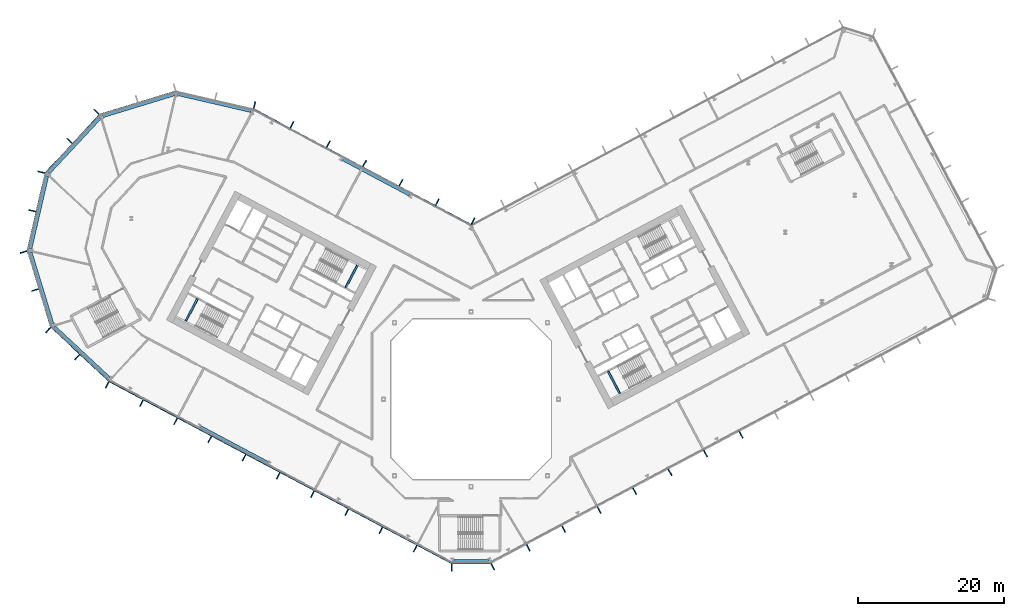
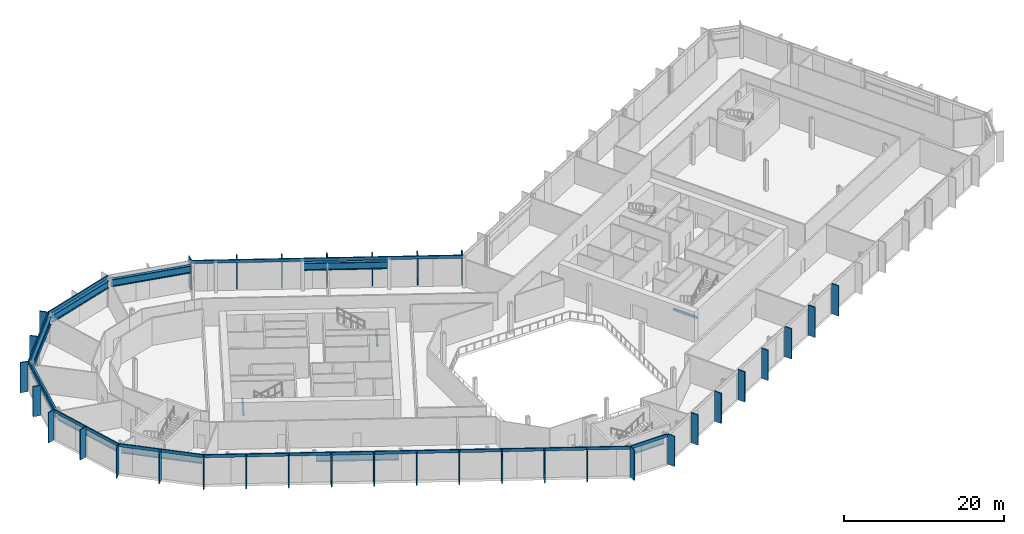
# One storey, part 7 of 31: 42 members, 12 beams, 10 elements without a shape of their own.
"""IFC4 building model written with IfcOpenShell, lengths in metres."""

from ifc_helpers import new_model, si_unit, direction, frame, origin, origin_2d, place, context, subcontext, project, spatial, rectangle, i_section, extrude, material, layer, layer_set, material_profile, profile_set, type_object, element, aggregate, save


model = new_model("IFC4")

# Units and contexts
model_context = context("Model", 3, precision=1e-05, world=origin(), true_north=direction((0.0, 1.0)))
body_context = subcontext(model_context, "Body", "Model", "MODEL_VIEW")
ifc_project = project(units=[si_unit("LENGTHUNIT", "METRE"), si_unit("AREAUNIT", "SQUARE_METRE"), si_unit("VOLUMEUNIT", "CUBIC_METRE"), si_unit("PLANEANGLEUNIT", "RADIAN"), si_unit("MASSUNIT", "GRAM", prefix="KILO")], contexts=[model_context])

# Site, building, storey
site_placement = place(None, origin())
site = spatial("IfcSite", under=ifc_project, at=site_placement, CompositionType="ELEMENT")
building_placement = place(site_placement, origin())
building = spatial("IfcBuilding", under=site, at=building_placement, Name="Cormorant Relay Tower", CompositionType="ELEMENT")
storey_placement = place(building_placement, frame((0.0, 0.0, 107.60009765625)))
storey = spatial("IfcBuildingStorey", under=building, at=storey_placement, Name="L21", CompositionType="ELEMENT", Elevation=107.60009765625)

# Curtain wall, member
ifc_material_1 = material(Name="Aluminium 6063-T6 anodised bronze", Category="aluminium")
ifc_layer = layer(ifc_material_1, 0.199951171875)
ifc_layer_set = layer_set([ifc_layer], Name="CW1 unitised bronze curtain wall with vertical fins")
curtain_wall_type = type_object("IfcCurtainWallType", Name="CW1 unitised bronze curtain wall with vertical fins", PredefinedType="NOTDEFINED", material=ifc_layer_set)
curtain_wall_1_placement = place(storey_placement, origin())
curtain_wall_1 = element("IfcCurtainWall", 1, at=curtain_wall_1_placement, inside=storey, type_object=curtain_wall_type, Name="CW1 curtain wall 1", PredefinedType="NOTDEFINED")
ifc_material_2 = material(Name="Aluminium 6063-T6 anodised bronze", Category="aluminium")
ifc_material_profile_1 = material_profile(ifc_material_2, rectangle(XDim=0.14990234375, YDim=1.0, at=origin_2d()), Name="AL 150x1000")
ifc_profile_set_1 = profile_set([ifc_material_profile_1], Name="Aluminium 6063-T6 anodised bronze")
member_type_1 = type_object("IfcMemberType", Name="CW1 bronze fin mullion 150 x 1000", PredefinedType="MULLION", material=ifc_profile_set_1)
member_1_placement = place(storey_placement, frame((-2.648681640625, -23.07568359375, 0.0), z_axis=(0.0, 0.0, 1.0), x_axis=(1.0, 0.0, 0.0)))
member_1 = element("IfcMember", 2, at=member_1_placement, type_object=member_type_1, Name="CW1 fin 1.1", PredefinedType="MULLION", context=body_context, shape_type="SweptSolid", body=[
    extrude(rectangle(XDim=0.14990234375, YDim=1.0, at=origin_2d()), origin(), (0.0, 0.0, 1.0), 4.599853515625),
])

# Curtain wall, members
curtain_wall_2_placement = place(storey_placement, origin())
curtain_wall_2 = element("IfcCurtainWall", 3, at=curtain_wall_2_placement, inside=storey, type_object=curtain_wall_type, Name="CW1 curtain wall 2", PredefinedType="NOTDEFINED")
member_2_placement = place(storey_placement, frame((2.9775390625, -22.99365234375, 0.0), z_axis=(0.0, 0.0, 1.0), x_axis=(0.882947592859, 0.469471562786, 0.0)))
member_2 = element("IfcMember", 4, at=member_2_placement, type_object=member_type_1, Name="CW1 fin 2.1", PredefinedType="MULLION", context=body_context, shape_type="SweptSolid", body=[
    extrude(rectangle(XDim=0.14990234375, YDim=1.0, at=origin_2d()), origin(), (0.0, 0.0, 1.0), 4.599853515625),
])
member_3_placement = place(storey_placement, frame((7.843994140625, -20.406005859375, 0.0), z_axis=(0.0, 0.0, 1.0), x_axis=(0.882947592859, 0.469471562786, 0.0)))
member_3 = element("IfcMember", 5, at=member_3_placement, type_object=member_type_1, Name="CW1 fin 2.2", PredefinedType="MULLION", context=body_context, shape_type="SweptSolid", body=[
    extrude(rectangle(XDim=0.14990234375, YDim=1.0, at=origin_2d()), origin(), (0.0, 0.0, 1.0), 4.599853515625),
])
member_4_placement = place(storey_placement, frame((12.710693359375, -17.818359375, 0.0), z_axis=(0.0, 0.0, 1.0), x_axis=(0.882947592859, 0.469471562786, 0.0)))
member_4 = element("IfcMember", 6, at=member_4_placement, type_object=member_type_1, Name="CW1 fin 2.3", PredefinedType="MULLION", context=body_context, shape_type="SweptSolid", body=[
    extrude(rectangle(XDim=0.14990234375, YDim=1.0, at=origin_2d()), origin(), (0.0, 0.0, 1.0), 4.599853515625),
])
member_5_placement = place(storey_placement, frame((17.577392578125, -15.230712890625, 0.0), z_axis=(0.0, 0.0, 1.0), x_axis=(0.882947592859, 0.469471562786, 0.0)))
member_5 = element("IfcMember", 7, at=member_5_placement, type_object=member_type_1, Name="CW1 fin 2.4", PredefinedType="MULLION", context=body_context, shape_type="SweptSolid", body=[
    extrude(rectangle(XDim=0.14990234375, YDim=1.0, at=origin_2d()), origin(), (0.0, 0.0, 1.0), 4.599853515625),
])
member_6_placement = place(storey_placement, frame((22.444091796875, -12.64306640625, 0.0), z_axis=(0.0, 0.0, 1.0), x_axis=(0.882947592859, 0.469471562786, 0.0)))
member_6 = element("IfcMember", 8, at=member_6_placement, type_object=member_type_1, Name="CW1 fin 2.5", PredefinedType="MULLION", context=body_context, shape_type="SweptSolid", body=[
    extrude(rectangle(XDim=0.14990234375, YDim=1.0, at=origin_2d()), origin(), (0.0, 0.0, 1.0), 4.599853515625),
])
member_7_placement = place(storey_placement, frame((27.310791015625, -10.055419921875, 0.0), z_axis=(0.0, 0.0, 1.0), x_axis=(0.882947592859, 0.469471562786, 0.0)))
member_7 = element("IfcMember", 9, at=member_7_placement, type_object=member_type_1, Name="CW1 fin 2.6", PredefinedType="MULLION", context=body_context, shape_type="SweptSolid", body=[
    extrude(rectangle(XDim=0.14990234375, YDim=1.0, at=origin_2d()), origin(), (0.0, 0.0, 1.0), 4.599853515625),
])
member_8_placement = place(storey_placement, frame((32.177490234375, -7.4677734375, 0.0), z_axis=(0.0, 0.0, 1.0), x_axis=(0.882947592859, 0.469471562786, 0.0)))
member_8 = element("IfcMember", 10, at=member_8_placement, type_object=member_type_1, Name="CW1 fin 2.7", PredefinedType="MULLION", context=body_context, shape_type="SweptSolid", body=[
    extrude(rectangle(XDim=0.14990234375, YDim=1.0, at=origin_2d()), origin(), (0.0, 0.0, 1.0), 4.599853515625),
])
member_9_placement = place(storey_placement, frame((37.044189453125, -4.8798828125, 0.0), z_axis=(0.0, 0.0, 1.0), x_axis=(0.882947592859, 0.469471562786, 0.0)))
member_9 = element("IfcMember", 11, at=member_9_placement, type_object=member_type_1, Name="CW1 fin 2.8", PredefinedType="MULLION", context=body_context, shape_type="SweptSolid", body=[
    extrude(rectangle(XDim=0.14990234375, YDim=1.0, at=origin_2d()), origin(), (0.0, 0.0, 1.0), 4.599853515625),
])
aggregate(curtain_wall_2, [member_2, member_3, member_4, member_5, member_6, member_7, member_8, member_9])

curtain_wall_3_placement = place(storey_placement, origin())
curtain_wall_3 = element("IfcCurtainWall", 12, at=curtain_wall_3_placement, inside=storey, type_object=curtain_wall_type, Name="CW1 curtain wall 7", PredefinedType="NOTDEFINED")
member_10_placement = place(storey_placement, frame((0.262451171875, 24.437255859375, 0.0), z_axis=(0.0, 0.0, 1.0), x_axis=(-0.882947592859, 0.469471562786, 0.0)))
member_10 = element("IfcMember", 13, at=member_10_placement, type_object=member_type_1, Name="CW1 fin 7.1", PredefinedType="MULLION", context=body_context, shape_type="SweptSolid", body=[
    extrude(rectangle(XDim=0.14990234375, YDim=1.0, at=origin_2d()), origin(), (0.0, 0.0, 1.0), 4.599853515625),
])
member_11_placement = place(storey_placement, frame((-4.650390625, 27.04931640625, 0.0), z_axis=(0.0, 0.0, 1.0), x_axis=(-0.882947592859, 0.469471562786, 0.0)))
member_11 = element("IfcMember", 14, at=member_11_placement, type_object=member_type_1, Name="CW1 fin 7.2", PredefinedType="MULLION", context=body_context, shape_type="SweptSolid", body=[
    extrude(rectangle(XDim=0.14990234375, YDim=1.0, at=origin_2d()), origin(), (0.0, 0.0, 1.0), 4.599853515625),
])
member_12_placement = place(storey_placement, frame((-9.62939453125, 29.69677734375, 0.0), z_axis=(0.0, 0.0, 1.0), x_axis=(-0.882947592859, 0.469471562786, 0.0)))
member_12 = element("IfcMember", 15, at=member_12_placement, type_object=member_type_1, Name="CW1 fin 7.3", PredefinedType="MULLION", context=body_context, shape_type="SweptSolid", body=[
    extrude(rectangle(XDim=0.14990234375, YDim=1.0, at=origin_2d()), origin(), (0.0, 0.0, 1.0), 4.599853515625),
])
member_13_placement = place(storey_placement, frame((-14.608154296875, 32.343994140625, 0.0), z_axis=(0.0, 0.0, 1.0), x_axis=(-0.882947592859, 0.469471562786, 0.0)))
member_13 = element("IfcMember", 16, at=member_13_placement, type_object=member_type_1, Name="CW1 fin 7.4", PredefinedType="MULLION", context=body_context, shape_type="SweptSolid", body=[
    extrude(rectangle(XDim=0.14990234375, YDim=1.0, at=origin_2d()), origin(), (0.0, 0.0, 1.0), 4.599853515625),
])
member_14_placement = place(storey_placement, frame((-19.587158203125, 34.991455078125, 0.0), z_axis=(0.0, 0.0, 1.0), x_axis=(-0.882947592859, 0.469471562786, 0.0)))
member_14 = element("IfcMember", 17, at=member_14_placement, type_object=member_type_1, Name="CW1 fin 7.5", PredefinedType="MULLION", context=body_context, shape_type="SweptSolid", body=[
    extrude(rectangle(XDim=0.14990234375, YDim=1.0, at=origin_2d()), origin(), (0.0, 0.0, 1.0), 4.599853515625),
])
member_15_placement = place(storey_placement, frame((-24.566162109375, 37.638916015625, 0.0), z_axis=(0.0, 0.0, 1.0), x_axis=(-0.882947592859, 0.469471562786, 0.0)))
member_15 = element("IfcMember", 18, at=member_15_placement, type_object=member_type_1, Name="CW1 fin 7.6", PredefinedType="MULLION", context=body_context, shape_type="SweptSolid", body=[
    extrude(rectangle(XDim=0.14990234375, YDim=1.0, at=origin_2d()), origin(), (0.0, 0.0, 1.0), 4.599853515625),
])

# Curtain wall, member
curtain_wall_4_placement = place(storey_placement, origin())
curtain_wall_4 = element("IfcCurtainWall", 19, at=curtain_wall_4_placement, inside=storey, type_object=curtain_wall_type, Name="CW1 curtain wall 8", PredefinedType="NOTDEFINED")
member_16_placement = place(storey_placement, frame((-29.71630859375, 40.35009765625, 0.0), z_axis=(0.0, 0.0, 1.0), x_axis=(-0.974370064785, 0.224951054344, 0.0)))
member_16 = element("IfcMember", 20, at=member_16_placement, type_object=member_type_1, Name="CW1 fin 8.1", PredefinedType="MULLION", context=body_context, shape_type="SweptSolid", body=[
    extrude(rectangle(XDim=0.14990234375, YDim=1.0, at=origin_2d()), origin(), (0.0, 0.0, 1.0), 4.599853515625),
])
aggregate(curtain_wall_4, [member_16])

# Curtain wall, members
curtain_wall_5_placement = place(storey_placement, origin())
curtain_wall_5 = element("IfcCurtainWall", 21, at=curtain_wall_5_placement, inside=storey, type_object=curtain_wall_type, Name="CW1 curtain wall 10", PredefinedType="NOTDEFINED")
member_17_placement = place(storey_placement, frame((-51.372802734375, 39.41259765625, 0.0), z_axis=(0.0, 0.0, 1.0), x_axis=(-0.681998360062, -0.731353701619, 0.0)))
member_17 = element("IfcMember", 22, at=member_17_placement, type_object=member_type_1, Name="CW1 fin 10.1", PredefinedType="MULLION", context=body_context, shape_type="SweptSolid", body=[
    extrude(rectangle(XDim=0.14990234375, YDim=1.0, at=origin_2d()), origin(), (0.0, 0.0, 1.0), 4.599853515625),
])
member_18_placement = place(storey_placement, frame((-55.07958984375, 35.4375, 0.0), z_axis=(0.0, 0.0, 1.0), x_axis=(-0.681998360062, -0.731353701619, 0.0)))
member_18 = element("IfcMember", 23, at=member_18_placement, type_object=member_type_1, Name="CW1 fin 10.2", PredefinedType="MULLION", context=body_context, shape_type="SweptSolid", body=[
    extrude(rectangle(XDim=0.14990234375, YDim=1.0, at=origin_2d()), origin(), (0.0, 0.0, 1.0), 4.599853515625),
])

curtain_wall_6_placement = place(storey_placement, origin())
curtain_wall_6 = element("IfcCurtainWall", 24, at=curtain_wall_6_placement, inside=storey, type_object=curtain_wall_type, Name="CW1 curtain wall 11", PredefinedType="NOTDEFINED")
member_19_placement = place(storey_placement, frame((-58.95654296875, 31.142578125, 0.0), z_axis=(0.0, 0.0, 1.0), x_axis=(-0.224951054344, -0.974370064785, 0.0)))
member_19 = element("IfcMember", 25, at=member_19_placement, type_object=member_type_1, Name="CW1 fin 11.1", PredefinedType="MULLION", context=body_context, shape_type="SweptSolid", body=[
    extrude(rectangle(XDim=0.14990234375, YDim=1.0, at=origin_2d()), origin(), (0.0, 0.0, 1.0), 4.599853515625),
])
member_20_placement = place(storey_placement, frame((-60.17919921875, 25.8466796875, 0.0), z_axis=(0.0, 0.0, 1.0), x_axis=(-0.224951054344, -0.974370064785, 0.0)))
member_20 = element("IfcMember", 26, at=member_20_placement, type_object=member_type_1, Name="CW1 fin 11.2", PredefinedType="MULLION", context=body_context, shape_type="SweptSolid", body=[
    extrude(rectangle(XDim=0.14990234375, YDim=1.0, at=origin_2d()), origin(), (0.0, 0.0, 1.0), 4.599853515625),
])

curtain_wall_7_placement = place(storey_placement, origin())
curtain_wall_7 = element("IfcCurtainWall", 27, at=curtain_wall_7_placement, inside=storey, type_object=curtain_wall_type, Name="CW1 curtain wall 12", PredefinedType="NOTDEFINED")
member_21_placement = place(storey_placement, frame((-61.389404296875, 20.188720703125, 0.0), z_axis=(0.0, 0.0, 1.0), x_axis=(0.292371704723, -0.956304755963, 0.0)))
member_21 = element("IfcMember", 28, at=member_21_placement, type_object=member_type_1, Name="CW1 fin 12.1", PredefinedType="MULLION", context=body_context, shape_type="SweptSolid", body=[
    extrude(rectangle(XDim=0.14990234375, YDim=1.0, at=origin_2d()), origin(), (0.0, 0.0, 1.0), 4.599853515625),
])
member_22_placement = place(storey_placement, frame((-59.80029296875, 14.990966796875, 0.0), z_axis=(0.0, 0.0, 1.0), x_axis=(0.292371704723, -0.956304755963, 0.0)))
member_22 = element("IfcMember", 29, at=member_22_placement, type_object=member_type_1, Name="CW1 fin 12.2", PredefinedType="MULLION", context=body_context, shape_type="SweptSolid", body=[
    extrude(rectangle(XDim=0.14990234375, YDim=1.0, at=origin_2d()), origin(), (0.0, 0.0, 1.0), 4.599853515625),
])

curtain_wall_8_placement = place(storey_placement, origin())
curtain_wall_8 = element("IfcCurtainWall", 30, at=curtain_wall_8_placement, inside=storey, type_object=curtain_wall_type, Name="CW1 curtain wall 13", PredefinedType="NOTDEFINED")
member_23_placement = place(storey_placement, frame((-58.01904296875, 9.486083984375, 0.0), z_axis=(0.0, 0.0, 1.0), x_axis=(0.731353701619, -0.681998360062, 0.0)))
member_23 = element("IfcMember", 31, at=member_23_placement, type_object=member_type_1, Name="CW1 fin 13.1", PredefinedType="MULLION", context=body_context, shape_type="SweptSolid", body=[
    extrude(rectangle(XDim=0.14990234375, YDim=1.0, at=origin_2d()), origin(), (0.0, 0.0, 1.0), 4.599853515625),
])
member_24_placement = place(storey_placement, frame((-54.0439453125, 5.779296875, 0.0), z_axis=(0.0, 0.0, 1.0), x_axis=(0.731353701619, -0.681998360062, 0.0)))
member_24 = element("IfcMember", 32, at=member_24_placement, type_object=member_type_1, Name="CW1 fin 13.2", PredefinedType="MULLION", context=body_context, shape_type="SweptSolid", body=[
    extrude(rectangle(XDim=0.14990234375, YDim=1.0, at=origin_2d()), origin(), (0.0, 0.0, 1.0), 4.599853515625),
])

curtain_wall_9_placement = place(storey_placement, origin())
curtain_wall_9 = element("IfcCurtainWall", 33, at=curtain_wall_9_placement, inside=storey, type_object=curtain_wall_type, Name="CW1 curtain wall 14", PredefinedType="NOTDEFINED")
member_25_placement = place(storey_placement, frame((-49.920166015625, 1.96630859375, 0.0), z_axis=(0.0, 0.0, 1.0), x_axis=(0.882947592859, -0.469471562786, 0.0)))
member_25 = element("IfcMember", 34, at=member_25_placement, type_object=member_type_1, Name="CW1 fin 14.1", PredefinedType="MULLION", context=body_context, shape_type="SweptSolid", body=[
    extrude(rectangle(XDim=0.14990234375, YDim=1.0, at=origin_2d()), origin(), (0.0, 0.0, 1.0), 4.599853515625),
])
member_26_placement = place(storey_placement, frame((-45.225830078125, -0.52978515625, 0.0), z_axis=(0.0, 0.0, 1.0), x_axis=(0.882947592859, -0.469471562786, 0.0)))
member_26 = element("IfcMember", 35, at=member_26_placement, type_object=member_type_1, Name="CW1 fin 14.2", PredefinedType="MULLION", context=body_context, shape_type="SweptSolid", body=[
    extrude(rectangle(XDim=0.14990234375, YDim=1.0, at=origin_2d()), origin(), (0.0, 0.0, 1.0), 4.599853515625),
])
member_27_placement = place(storey_placement, frame((-40.531494140625, -3.025634765625, 0.0), z_axis=(0.0, 0.0, 1.0), x_axis=(0.882947592859, -0.469471562786, 0.0)))
member_27 = element("IfcMember", 36, at=member_27_placement, type_object=member_type_1, Name="CW1 fin 14.3", PredefinedType="MULLION", context=body_context, shape_type="SweptSolid", body=[
    extrude(rectangle(XDim=0.14990234375, YDim=1.0, at=origin_2d()), origin(), (0.0, 0.0, 1.0), 4.599853515625),
])
member_28_placement = place(storey_placement, frame((-35.83740234375, -5.521728515625, 0.0), z_axis=(0.0, 0.0, 1.0), x_axis=(0.882947592859, -0.469471562786, 0.0)))
member_28 = element("IfcMember", 37, at=member_28_placement, type_object=member_type_1, Name="CW1 fin 14.4", PredefinedType="MULLION", context=body_context, shape_type="SweptSolid", body=[
    extrude(rectangle(XDim=0.14990234375, YDim=1.0, at=origin_2d()), origin(), (0.0, 0.0, 1.0), 4.599853515625),
])
member_29_placement = place(storey_placement, frame((-31.14306640625, -8.017578125, 0.0), z_axis=(0.0, 0.0, 1.0), x_axis=(0.882947592859, -0.469471562786, 0.0)))
member_29 = element("IfcMember", 38, at=member_29_placement, type_object=member_type_1, Name="CW1 fin 14.5", PredefinedType="MULLION", context=body_context, shape_type="SweptSolid", body=[
    extrude(rectangle(XDim=0.14990234375, YDim=1.0, at=origin_2d()), origin(), (0.0, 0.0, 1.0), 4.599853515625),
])
member_30_placement = place(storey_placement, frame((-26.44873046875, -10.513671875, 0.0), z_axis=(0.0, 0.0, 1.0), x_axis=(0.882947592859, -0.469471562786, 0.0)))
member_30 = element("IfcMember", 39, at=member_30_placement, type_object=member_type_1, Name="CW1 fin 14.6", PredefinedType="MULLION", context=body_context, shape_type="SweptSolid", body=[
    extrude(rectangle(XDim=0.14990234375, YDim=1.0, at=origin_2d()), origin(), (0.0, 0.0, 1.0), 4.599853515625),
])
member_31_placement = place(storey_placement, frame((-21.754638671875, -13.009765625, 0.0), z_axis=(0.0, 0.0, 1.0), x_axis=(0.882947592859, -0.469471562786, 0.0)))
member_31 = element("IfcMember", 40, at=member_31_placement, type_object=member_type_1, Name="CW1 fin 14.7", PredefinedType="MULLION", context=body_context, shape_type="SweptSolid", body=[
    extrude(rectangle(XDim=0.14990234375, YDim=1.0, at=origin_2d()), origin(), (0.0, 0.0, 1.0), 4.599853515625),
])
member_32_placement = place(storey_placement, frame((-17.060302734375, -15.505615234375, 0.0), z_axis=(0.0, 0.0, 1.0), x_axis=(0.882947592859, -0.469471562786, 0.0)))
member_32 = element("IfcMember", 41, at=member_32_placement, type_object=member_type_1, Name="CW1 fin 14.8", PredefinedType="MULLION", context=body_context, shape_type="SweptSolid", body=[
    extrude(rectangle(XDim=0.14990234375, YDim=1.0, at=origin_2d()), origin(), (0.0, 0.0, 1.0), 4.599853515625),
])
member_33_placement = place(storey_placement, frame((-12.365966796875, -18.001708984375, 0.0), z_axis=(0.0, 0.0, 1.0), x_axis=(0.882947592859, -0.469471562786, 0.0)))
member_33 = element("IfcMember", 42, at=member_33_placement, type_object=member_type_1, Name="CW1 fin 14.9", PredefinedType="MULLION", context=body_context, shape_type="SweptSolid", body=[
    extrude(rectangle(XDim=0.14990234375, YDim=1.0, at=origin_2d()), origin(), (0.0, 0.0, 1.0), 4.599853515625),
])
member_34_placement = place(storey_placement, frame((-7.671630859375, -20.49755859375, 0.0), z_axis=(0.0, 0.0, 1.0), x_axis=(0.882947592859, -0.469471562786, 0.0)))
member_34 = element("IfcMember", 43, at=member_34_placement, type_object=member_type_1, Name="CW1 fin 14.10", PredefinedType="MULLION", context=body_context, shape_type="SweptSolid", body=[
    extrude(rectangle(XDim=0.14990234375, YDim=1.0, at=origin_2d()), origin(), (0.0, 0.0, 1.0), 4.599853515625),
])

# Member
ifc_material_3 = material(Name="Aluminium 6063-T6 anodised bronze", Category="aluminium")
ifc_material_profile_2 = material_profile(ifc_material_3, rectangle(XDim=0.159912109375, YDim=0.449951171875, at=origin_2d()), Name="AL 160x450")
ifc_profile_set_2 = profile_set([ifc_material_profile_2], Name="Aluminium 6063-T6 anodised bronze")
member_type_2 = type_object("IfcMemberType", Name="CW1 bronze transom 160 x 450", PredefinedType="USERDEFINED", material=ifc_profile_set_2)
member_35_placement = place(storey_placement, frame((-2.648681640625, -22.49560546875, 4.375), z_axis=(1.0, 0.0, 0.0), x_axis=(0.0, 1.0, 0.0)))
member_35 = element("IfcMember", 44, at=member_35_placement, type_object=member_type_2, Name="CW1 transom 1", ObjectType="TRANSOM", PredefinedType="USERDEFINED", context=body_context, shape_type="SweptSolid", body=[
    extrude(rectangle(XDim=0.159912109375, YDim=0.449951171875, at=origin_2d()), origin(), (0.0, 0.0, 1.0), 5.29736328125),
])

aggregate(curtain_wall_1, [member_1, member_35])

member_36_placement = place(storey_placement, frame((0.056396484375, 23.889892578125, 4.375), z_axis=(-0.882946280328, 0.46947403129, 0.0), x_axis=(-0.46947403129, -0.882946280328, 0.0)))
member_36 = element("IfcMember", 45, at=member_36_placement, type_object=member_type_2, Name="CW1 transom 7", ObjectType="TRANSOM", PredefinedType="USERDEFINED", context=body_context, shape_type="SweptSolid", body=[
    extrude(rectangle(XDim=0.159912109375, YDim=0.449951171875, at=origin_2d()), origin(), (0.0, 0.0, 1.0), 33.834228515625),
])

aggregate(curtain_wall_3, [member_10, member_11, member_12, member_13, member_14, member_15, member_36])

# Curtain wall, member
curtain_wall_10_placement = place(storey_placement, origin())
curtain_wall_10 = element("IfcCurtainWall", 46, at=curtain_wall_10_placement, inside=storey, type_object=curtain_wall_type, Name="CW1 curtain wall 9", PredefinedType="NOTDEFINED")
member_37_placement = place(storey_placement, frame((-40.50048828125, 42.228271484375, 4.375), z_axis=(-0.956304833932, -0.292371449698, 0.0), x_axis=(0.292371449698, -0.956304833932, 0.0)))
member_37 = element("IfcMember", 47, at=member_37_placement, type_object=member_type_2, Name="CW1 transom 9", ObjectType="TRANSOM", PredefinedType="USERDEFINED", context=body_context, shape_type="SweptSolid", body=[
    extrude(rectangle(XDim=0.159912109375, YDim=0.449951171875, at=origin_2d()), origin(), (0.0, 0.0, 1.0), 10.87060546875),
])
aggregate(curtain_wall_10, [member_37])

# Member
member_38_placement = place(storey_placement, frame((-50.94873046875, 39.01708984375, 4.375), z_axis=(-0.681993299437, -0.731358420696, 0.0), x_axis=(0.731358420696, -0.681993299437, 0.0)))
member_38 = element("IfcMember", 48, at=member_38_placement, type_object=member_type_2, Name="CW1 transom 10", ObjectType="TRANSOM", PredefinedType="USERDEFINED", context=body_context, shape_type="SweptSolid", body=[
    extrude(rectangle(XDim=0.159912109375, YDim=0.449951171875, at=origin_2d()), origin(), (0.0, 0.0, 1.0), 10.870361328125),
])

aggregate(curtain_wall_5, [member_17, member_18, member_38])

member_39_placement = place(storey_placement, frame((-58.3916015625, 31.01220703125, 4.375), z_axis=(-0.22495136131, -0.974369993916, 0.0), x_axis=(0.974369993916, -0.22495136131, 0.0)))
member_39 = element("IfcMember", 49, at=member_39_placement, type_object=member_type_2, Name="CW1 transom 11", ObjectType="TRANSOM", PredefinedType="USERDEFINED", context=body_context, shape_type="SweptSolid", body=[
    extrude(rectangle(XDim=0.159912109375, YDim=0.449951171875, at=origin_2d()), origin(), (0.0, 0.0, 1.0), 10.870361328125),
])

aggregate(curtain_wall_6, [member_19, member_20, member_39])

member_40_placement = place(storey_placement, frame((-60.834716796875, 20.358154296875, 4.375), z_axis=(0.292377729282, -0.95630291405, 0.0), x_axis=(0.95630291405, 0.292377729282, 0.0)))
member_40 = element("IfcMember", 50, at=member_40_placement, type_object=member_type_2, Name="CW1 transom 12", ObjectType="TRANSOM", PredefinedType="USERDEFINED", context=body_context, shape_type="SweptSolid", body=[
    extrude(rectangle(XDim=0.159912109375, YDim=0.449951171875, at=origin_2d()), origin(), (0.0, 0.0, 1.0), 10.870361328125),
])

aggregate(curtain_wall_7, [member_21, member_22, member_40])

member_41_placement = place(storey_placement, frame((-57.62353515625, 9.91015625, 4.375), z_axis=(0.731358420696, -0.681993299437, 0.0), x_axis=(0.681993299437, 0.731358420696, 0.0)))
member_41 = element("IfcMember", 51, at=member_41_placement, type_object=member_type_2, Name="CW1 transom 13", ObjectType="TRANSOM", PredefinedType="USERDEFINED", context=body_context, shape_type="SweptSolid", body=[
    extrude(rectangle(XDim=0.159912109375, YDim=0.449951171875, at=origin_2d()), origin(), (0.0, 0.0, 1.0), 10.870361328125),
])

aggregate(curtain_wall_8, [member_23, member_24, member_41])

member_42_placement = place(storey_placement, frame((-49.64794921875, 2.478515625, 4.375), z_axis=(0.882947642542, -0.469471469346, 0.0), x_axis=(0.469471469346, 0.882947642542, 0.0)))
member_42 = element("IfcMember", 52, at=member_42_placement, type_object=member_type_2, Name="CW1 transom 14", ObjectType="TRANSOM", PredefinedType="USERDEFINED", context=body_context, shape_type="SweptSolid", body=[
    extrude(rectangle(XDim=0.159912109375, YDim=0.449951171875, at=origin_2d()), origin(), (0.0, 0.0, 1.0), 53.166015625),
])

aggregate(curtain_wall_9, [member_25, member_26, member_27, member_28, member_29, member_30, member_31, member_32, member_33, member_34, member_42])

# Beams
ifc_material_4 = material(Name="Steel ASTM A992 (Fy 345 MPa)", Category="steel")
ifc_material_profile_3 = material_profile(ifc_material_4, i_section(OverallWidth=0.40380859375, OverallDepth=1.11767578125, WebThickness=0.026123046875, FlangeThickness=0.044921875, FilletRadius=0.02001953125, at=origin_2d()), Name="W1100x499")
ifc_profile_set_3 = profile_set([ifc_material_profile_3], Name="Steel ASTM A992 (Fy 345 MPa)")
beam_type_1 = type_object("IfcBeamType", Name="Spandrel W1100x499", PredefinedType="SPANDREL", material=ifc_profile_set_3)
beam_1_placement = place(storey_placement, frame((-2.3486328125, -22.173583984375, 3.591064453125), z_axis=(1.0, 0.0, 0.0), x_axis=(0.0, 1.0, 0.0)))
element("IfcBeam", 53, at=beam_1_placement, inside=storey, type_object=beam_type_1, Name="Spandrel beam L21-001", PredefinedType="SPANDREL", context=body_context, shape_type="SweptSolid", body=[
    extrude(i_section(OverallWidth=0.40380859375, OverallDepth=1.11767578125, WebThickness=0.026123046875, FlangeThickness=0.044921875, FilletRadius=0.02001953125, at=origin_2d()), origin(), (0.0, 0.0, 1.0), 4.736083984375),
])
beam_2_placement = place(storey_placement, frame((-8.435302734375, 28.040283203125, 3.591064453125), z_axis=(-0.882946891921, 0.469472881056, 0.0), x_axis=(-0.469472881056, -0.882946891921, 0.0)))
element("IfcBeam", 54, at=beam_2_placement, inside=storey, type_object=beam_type_1, Name="Spandrel beam L21-007", PredefinedType="SPANDREL", context=body_context, shape_type="SweptSolid", body=[
    extrude(i_section(OverallWidth=0.40380859375, OverallDepth=1.11767578125, WebThickness=0.026123046875, FlangeThickness=0.044921875, FilletRadius=0.02001953125, at=origin_2d()), origin(), (0.0, 0.0, 1.0), 10.376220703125),
])
beam_3_placement = place(storey_placement, frame((-30.171142578125, 39.529541015625, 3.591064453125), z_axis=(-0.974368523335, 0.224957730996, 0.0), x_axis=(-0.224957730996, -0.974368523335, 0.0)))
element("IfcBeam", 55, at=beam_3_placement, inside=storey, type_object=beam_type_1, Name="Spandrel beam L21-008", PredefinedType="SPANDREL", context=body_context, shape_type="SweptSolid", body=[
    extrude(i_section(OverallWidth=0.40380859375, OverallDepth=1.11767578125, WebThickness=0.026123046875, FlangeThickness=0.044921875, FilletRadius=0.02001953125, at=origin_2d()), origin(), (0.0, 0.0, 1.0), 10.346923828125),
])
beam_4_placement = place(storey_placement, frame((-40.70166015625, 41.830078125, 3.591064453125), z_axis=(-0.956304442866, -0.292372728814, 0.0), x_axis=(0.292372728814, -0.956304442866, 0.0)))
element("IfcBeam", 56, at=beam_4_placement, inside=storey, type_object=beam_type_1, Name="Spandrel beam L21-009", PredefinedType="SPANDREL", context=body_context, shape_type="SweptSolid", body=[
    extrude(i_section(OverallWidth=0.40380859375, OverallDepth=1.11767578125, WebThickness=0.026123046875, FlangeThickness=0.044921875, FilletRadius=0.02001953125, at=origin_2d()), origin(), (0.0, 0.0, 1.0), 10.297607421875),
])
for number, where, z_axis, x_axis, name in (
    (57, (-50.924072265625, 38.571533203125, 3.591064453125), (-0.681993790146, -0.731357963108, 0.0), (0.731357963108, -0.681993790146, 0.0), "Spandrel beam L21-010"),
    (58, (-58.147216796875, 30.638671875, 3.591064453125), (-0.224939161738, -0.974372810333, 0.0), (0.974372810333, -0.224939161738, 0.0), "Spandrel beam L21-011"),
):
    element("IfcBeam", number, at=place(storey_placement, frame(where, z_axis=z_axis, x_axis=x_axis)), inside=storey, type_object=beam_type_1, Name=name, PredefinedType="SPANDREL", context=body_context, shape_type="SweptSolid", body=[
        extrude(i_section(OverallWidth=0.40380859375, OverallDepth=1.11767578125, WebThickness=0.026123046875, FlangeThickness=0.044921875, FilletRadius=0.02001953125, at=origin_2d()), origin(), (0.0, 0.0, 1.0), 10.296875),
    ])
beam_5_placement = place(storey_placement, frame((-60.4365234375, 20.1572265625, 3.591064453125), z_axis=(0.292372728814, -0.956304442866, 0.0), x_axis=(0.956304442866, 0.292372728814, 0.0)))
element("IfcBeam", 59, at=beam_5_placement, inside=storey, type_object=beam_type_1, Name="Spandrel beam L21-012", PredefinedType="SPANDREL", context=body_context, shape_type="SweptSolid", body=[
    extrude(i_section(OverallWidth=0.40380859375, OverallDepth=1.11767578125, WebThickness=0.026123046875, FlangeThickness=0.044921875, FilletRadius=0.02001953125, at=origin_2d()), origin(), (0.0, 0.0, 1.0), 10.297607421875),
])
beam_6_placement = place(storey_placement, frame((-57.177734375, 9.934814453125, 3.591064453125), z_axis=(0.731345431457, -0.682007228617, 0.0), x_axis=(0.682007228617, 0.731345431457, 0.0)))
element("IfcBeam", 60, at=beam_6_placement, inside=storey, type_object=beam_type_1, Name="Spandrel beam L21-013", PredefinedType="SPANDREL", context=body_context, shape_type="SweptSolid", body=[
    extrude(i_section(OverallWidth=0.40380859375, OverallDepth=1.11767578125, WebThickness=0.026123046875, FlangeThickness=0.044921875, FilletRadius=0.02001953125, at=origin_2d()), origin(), (0.0, 0.0, 1.0), 10.322265625),
])
beam_7_placement = place(storey_placement, frame((-37.124755859375, -3.815673828125, 3.591064453125), z_axis=(0.882946891921, -0.469472881056, 0.0), x_axis=(0.469472881056, 0.882946891921, 0.0)))
element("IfcBeam", 61, at=beam_7_placement, inside=storey, type_object=beam_type_1, Name="Spandrel beam L21-014", PredefinedType="SPANDREL", context=body_context, shape_type="SweptSolid", body=[
    extrude(i_section(OverallWidth=0.40380859375, OverallDepth=1.11767578125, WebThickness=0.026123046875, FlangeThickness=0.044921875, FilletRadius=0.02001953125, at=origin_2d()), origin(), (0.0, 0.0, 1.0), 10.376220703125),
])
ifc_material_5 = material(Name="Concrete 50 MPa", Category="concrete")
ifc_material_profile_4 = material_profile(ifc_material_5, rectangle(XDim=0.25, YDim=0.300048828125, at=origin_2d()), Name="RC 250x300")
ifc_profile_set_4 = profile_set([ifc_material_profile_4], Name="Concrete 50 MPa")
beam_type_2 = type_object("IfcBeamType", Name="Stair landing ledge beam 250x300", PredefinedType="BEAM", material=ifc_profile_set_4)
beam_8_placement = place(storey_placement, frame((-17.215087890625, 15.325927734375, 1.949951171875), z_axis=(0.469519084434, 0.88292232351, 0.0), x_axis=(-0.88292232351, 0.469519084434, 0.0)))
element("IfcBeam", 62, at=beam_8_placement, inside=storey, type_object=beam_type_2, Name="A1 landing ledge beam", PredefinedType="BEAM", context=body_context, shape_type="SweptSolid", body=[
    extrude(rectangle(XDim=0.25, YDim=0.300048828125, at=origin_2d()), origin(), (0.0, 0.0, 1.0), 3.449951171875),
])
for number, where, z_axis, x_axis, name in (
    (63, (-37.52783203125, 13.781494140625, 1.949951171875), (-0.469434585424, -0.882967253078, 0.0), (0.882967253078, -0.469434585424, 0.0), "A2 landing ledge beam"),
    (64, (18.80029296875, 3.823974609375, 1.949951171875), (0.469489750874, -0.88293792184, 0.0), (0.88293792184, 0.469489750874, 0.0), "B1 landing ledge beam"),
):
    element("IfcBeam", number, at=place(storey_placement, frame(where, z_axis=z_axis, x_axis=x_axis)), inside=storey, type_object=beam_type_2, Name=name, PredefinedType="BEAM", context=body_context, shape_type="SweptSolid", body=[
        extrude(rectangle(XDim=0.25, YDim=0.300048828125, at=origin_2d()), origin(), (0.0, 0.0, 1.0), 3.4501953125),
    ])

save(model, "model.ifc")
